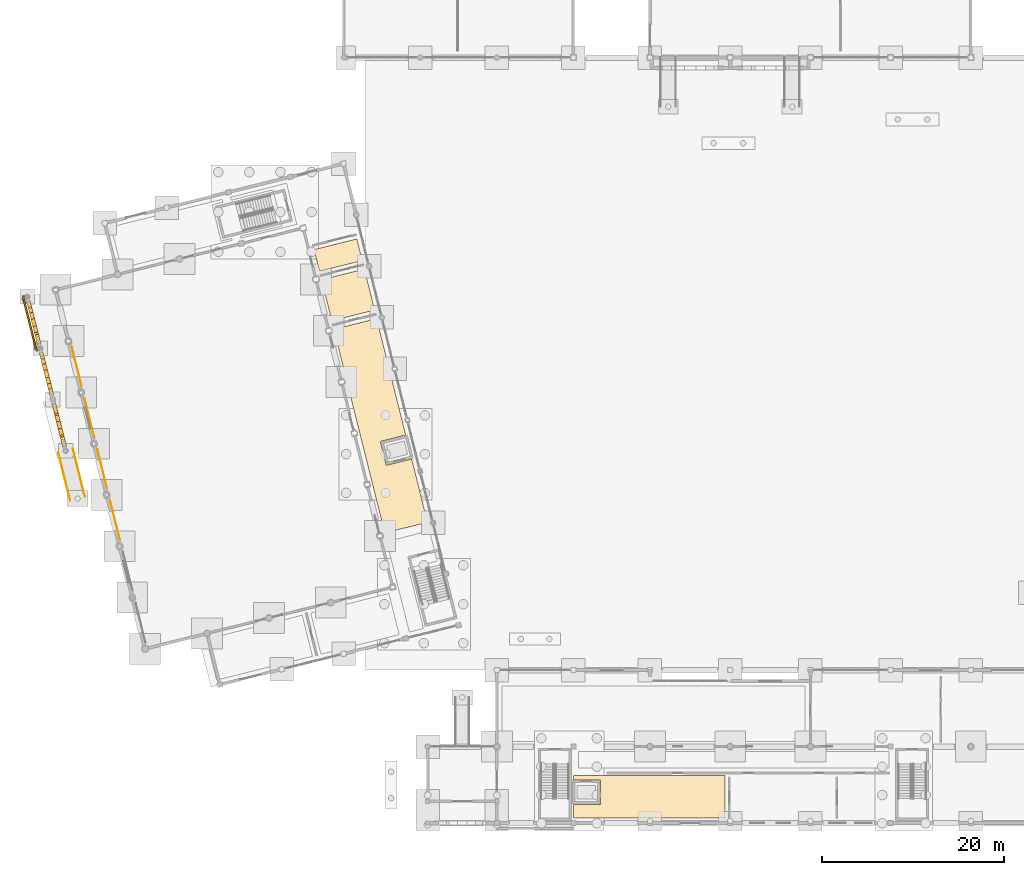
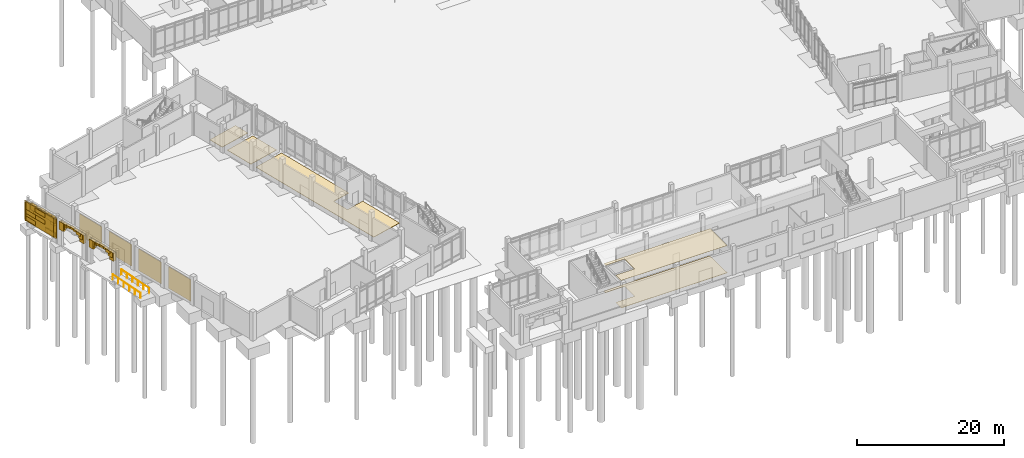
# One storey, part 59 of 72: 44 coverings, 2 railings, 1 shading device.
"""IFC4 building model written with IfcOpenShell, lengths in metres."""

from ifc_helpers import new_model, si_unit, direction, frame, origin, origin_2d, place, context, subcontext, project, spatial, polyline, rectangle, circle, outline, extrude, material, layer, layer_set, type_object, element, save


model = new_model("IFC4")

# Units and contexts
model_context = context("Model", 3, precision=1e-05, world=origin(), true_north=direction((0.0, 1.0)))
body_context = subcontext(model_context, "Body", "Model", "MODEL_VIEW")
ifc_project = project(units=[si_unit("LENGTHUNIT", "METRE"), si_unit("AREAUNIT", "SQUARE_METRE"), si_unit("VOLUMEUNIT", "CUBIC_METRE"), si_unit("PLANEANGLEUNIT", "RADIAN"), si_unit("MASSUNIT", "GRAM", prefix="KILO")], contexts=[model_context])

# Site, building, storey
site_placement = place(None, origin())
site = spatial("IfcSite", under=ifc_project, at=site_placement, CompositionType="ELEMENT")
building_placement = place(site_placement, origin())
building = spatial("IfcBuilding", under=site, at=building_placement, Name="Cinderway Yard Community Centre", CompositionType="ELEMENT")
storey_placement = place(building_placement, origin())
storey = spatial("IfcBuildingStorey", under=building, at=storey_placement, Name="L00", CompositionType="ELEMENT", Elevation=0.0)

# Coverings
ifc_material_1 = material(Name="Brick Masonry", Category="masonry")
ifc_layer_1 = layer(ifc_material_1, 0.18994140625, Name="Brick Masonry")
ifc_layer_set_1 = layer_set([ifc_layer_1], Name="Brick Masonry")
covering_type_1 = type_object("IfcCoveringType", Name="ENV-COV-BRK-SCREEN", PredefinedType="CLADDING", material=ifc_layer_set_1)
covering_1_placement = place(storey_placement, frame((10.875, 47.72607421875, 2.64794921875), z_axis=(0.0, 0.0, 1.0), x_axis=(-0.2419218956, 0.970295726276, 0.0)))
element("IfcCovering", 1, at=covering_1_placement, inside=storey, type_object=covering_type_1, Name="Main Hall Rail Forecourt South Arch Niche Arch Voussoir 4.1", PredefinedType="CLADDING", context=body_context, shape_type="SweptSolid", body=[
    extrude(rectangle(XDim=0.8369140625, YDim=0.419921875, at=origin_2d()), origin(), (0.0, 0.0, 1.0), 1.342041015625),
])
covering_2_placement = place(storey_placement, frame((10.81591796875, 47.9599609375, 3.115478515625), z_axis=(0.0, 0.0, 1.0), x_axis=(-0.2419218956, 0.970295726276, 0.0)))
element("IfcCovering", 2, at=covering_2_placement, inside=storey, type_object=covering_type_1, Name="Main Hall Rail Forecourt South Arch Niche Arch Voussoir 4.2", PredefinedType="CLADDING", context=body_context, shape_type="SweptSolid", body=[
    extrude(rectangle(XDim=0.8369140625, YDim=0.419921875, at=origin_2d()), origin(), (0.0, 0.0, 1.0), 0.875),
])
covering_3_placement = place(storey_placement, frame((10.7060546875, 48.39990234375, 3.495361328125), z_axis=(0.0, 0.0, 1.0), x_axis=(-0.2419218956, 0.970295726276, 0.0)))
element("IfcCovering", 3, at=covering_3_placement, inside=storey, type_object=covering_type_1, Name="Main Hall Rail Forecourt South Arch Niche Arch Voussoir 4.3", PredefinedType="CLADDING", context=body_context, shape_type="SweptSolid", body=[
    extrude(rectangle(XDim=0.8369140625, YDim=0.419921875, at=origin_2d()), origin(), (0.0, 0.0, 1.0), 0.4951171875),
])
for number, where, z_axis, x_axis, name in (
    (4, (10.55908203125, 48.992919921875, 3.744140625), (0.0, 0.0, 1.0), (-0.2419218956, 0.970295726276, 0.0), "Main Hall Rail Forecourt South Arch Niche Arch Voussoir 4.4"),
    (5, (10.389892578125, 49.66796875, 3.830078125), (0.0, 0.0, 1.0), (-0.2419218956, 0.970295726276, 0.0), "Main Hall Rail Forecourt South Arch Niche Arch Voussoir 4.5"),
    (6, (10.221923828125, 50.342041015625, 3.744140625), (0.0, 0.0, 1.0), (-0.2419218956, 0.970295726276, 0.0), "Main Hall Rail Forecourt South Arch Niche Arch Voussoir 4.6"),
):
    element("IfcCovering", number, at=place(storey_placement, frame(where, z_axis=z_axis, x_axis=x_axis)), inside=storey, type_object=covering_type_1, Name=name, PredefinedType="CLADDING", context=body_context, shape_type="SweptSolid", body=[
        extrude(rectangle(XDim=0.8369140625, YDim=0.419921875, at=origin_2d()), origin(), (0.0, 0.0, 1.0), 0.280029296875),
    ])
covering_4_placement = place(storey_placement, frame((10.074951171875, 50.93505859375, 3.495361328125), z_axis=(0.0, 0.0, 1.0), x_axis=(-0.2419218956, 0.970295726276, 0.0)))
element("IfcCovering", 7, at=covering_4_placement, inside=storey, type_object=covering_type_1, Name="Main Hall Rail Forecourt South Arch Niche Arch Voussoir 4.7", PredefinedType="CLADDING", context=body_context, shape_type="SweptSolid", body=[
    extrude(rectangle(XDim=0.8369140625, YDim=0.419921875, at=origin_2d()), origin(), (0.0, 0.0, 1.0), 0.4951171875),
])
covering_5_placement = place(storey_placement, frame((9.965087890625, 51.375, 3.115478515625), z_axis=(0.0, 0.0, 1.0), x_axis=(-0.2419218956, 0.970295726276, 0.0)))
element("IfcCovering", 8, at=covering_5_placement, inside=storey, type_object=covering_type_1, Name="Main Hall Rail Forecourt South Arch Niche Arch Voussoir 4.8", PredefinedType="CLADDING", context=body_context, shape_type="SweptSolid", body=[
    extrude(rectangle(XDim=0.8369140625, YDim=0.419921875, at=origin_2d()), origin(), (0.0, 0.0, 1.0), 0.875),
])
for number, where, z_axis, x_axis, name in (
    (9, (9.906005859375, 51.60888671875, 2.64794921875), (0.0, 0.0, 1.0), (-0.2419218956, 0.970295726276, 0.0), "Main Hall Rail Forecourt South Arch Niche Arch Voussoir 4.9"),
    (10, (9.471923828125, 53.35302734375, 2.64794921875), (0.0, 0.0, 1.0), (-0.241888025742, 0.970304170352, 0.0), "Main Hall Rail Forecourt Central Arch Niche Arch Voussoir 5.1"),
):
    element("IfcCovering", number, at=place(storey_placement, frame(where, z_axis=z_axis, x_axis=x_axis)), inside=storey, type_object=covering_type_1, Name=name, PredefinedType="CLADDING", context=body_context, shape_type="SweptSolid", body=[
        extrude(rectangle(XDim=0.8369140625, YDim=0.419921875, at=origin_2d()), origin(), (0.0, 0.0, 1.0), 1.342041015625),
    ])
covering_6_placement = place(storey_placement, frame((9.4130859375, 53.5869140625, 3.115478515625), z_axis=(0.0, 0.0, 1.0), x_axis=(-0.241888025742, 0.970304170352, 0.0)))
element("IfcCovering", 11, at=covering_6_placement, inside=storey, type_object=covering_type_1, Name="Main Hall Rail Forecourt Central Arch Niche Arch Voussoir 5.2", PredefinedType="CLADDING", context=body_context, shape_type="SweptSolid", body=[
    extrude(rectangle(XDim=0.8369140625, YDim=0.419921875, at=origin_2d()), origin(), (0.0, 0.0, 1.0), 0.875),
])
covering_7_placement = place(storey_placement, frame((9.302978515625, 54.028076171875, 3.495361328125), z_axis=(0.0, 0.0, 1.0), x_axis=(-0.241888025742, 0.970304170352, 0.0)))
element("IfcCovering", 12, at=covering_7_placement, inside=storey, type_object=covering_type_1, Name="Main Hall Rail Forecourt Central Arch Niche Arch Voussoir 5.3", PredefinedType="CLADDING", context=body_context, shape_type="SweptSolid", body=[
    extrude(rectangle(XDim=0.8369140625, YDim=0.419921875, at=origin_2d()), origin(), (0.0, 0.0, 1.0), 0.4951171875),
])
for number, where, z_axis, x_axis, name in (
    (13, (9.156005859375, 54.62109375, 3.744140625), (0.0, 0.0, 1.0), (-0.241888025742, 0.970304170352, 0.0), "Main Hall Rail Forecourt Central Arch Niche Arch Voussoir 5.4"),
    (14, (8.988037109375, 55.294921875, 3.830078125), (0.0, 0.0, 1.0), (-0.241888025742, 0.970304170352, 0.0), "Main Hall Rail Forecourt Central Arch Niche Arch Voussoir 5.5"),
    (15, (8.819091796875, 55.968994140625, 3.744140625), (0.0, 0.0, 1.0), (-0.241888025742, 0.970304170352, 0.0), "Main Hall Rail Forecourt Central Arch Niche Arch Voussoir 5.6"),
):
    element("IfcCovering", number, at=place(storey_placement, frame(where, z_axis=z_axis, x_axis=x_axis)), inside=storey, type_object=covering_type_1, Name=name, PredefinedType="CLADDING", context=body_context, shape_type="SweptSolid", body=[
        extrude(rectangle(XDim=0.8369140625, YDim=0.419921875, at=origin_2d()), origin(), (0.0, 0.0, 1.0), 0.280029296875),
    ])
covering_8_placement = place(storey_placement, frame((8.672119140625, 56.56201171875, 3.495361328125), z_axis=(0.0, 0.0, 1.0), x_axis=(-0.241888025742, 0.970304170352, 0.0)))
element("IfcCovering", 16, at=covering_8_placement, inside=storey, type_object=covering_type_1, Name="Main Hall Rail Forecourt Central Arch Niche Arch Voussoir 5.7", PredefinedType="CLADDING", context=body_context, shape_type="SweptSolid", body=[
    extrude(rectangle(XDim=0.8369140625, YDim=0.419921875, at=origin_2d()), origin(), (0.0, 0.0, 1.0), 0.4951171875),
])
covering_9_placement = place(storey_placement, frame((8.56201171875, 57.0029296875, 3.115478515625), z_axis=(0.0, 0.0, 1.0), x_axis=(-0.241888025742, 0.970304170352, 0.0)))
element("IfcCovering", 17, at=covering_9_placement, inside=storey, type_object=covering_type_1, Name="Main Hall Rail Forecourt Central Arch Niche Arch Voussoir 5.8", PredefinedType="CLADDING", context=body_context, shape_type="SweptSolid", body=[
    extrude(rectangle(XDim=0.8369140625, YDim=0.419921875, at=origin_2d()), origin(), (0.0, 0.0, 1.0), 0.875),
])
for number, where, z_axis, x_axis, name in (
    (18, (8.5029296875, 57.237060546875, 2.64794921875), (0.0, 0.0, 1.0), (-0.241888025742, 0.970304170352, 0.0), "Main Hall Rail Forecourt Central Arch Niche Arch Voussoir 5.9"),
    (19, (8.068115234375, 58.98095703125, 2.64794921875), (0.0, 0.0, 1.0), (-0.24204043778, 0.970266162699, 0.0), "Main Hall Rail Forecourt North Arch Niche Arch Voussoir 6.1"),
):
    element("IfcCovering", number, at=place(storey_placement, frame(where, z_axis=z_axis, x_axis=x_axis)), inside=storey, type_object=covering_type_1, Name=name, PredefinedType="CLADDING", context=body_context, shape_type="SweptSolid", body=[
        extrude(rectangle(XDim=0.8369140625, YDim=0.419921875, at=origin_2d()), origin(), (0.0, 0.0, 1.0), 1.342041015625),
    ])
covering_10_placement = place(storey_placement, frame((8.010009765625, 59.215087890625, 3.115478515625), z_axis=(0.0, 0.0, 1.0), x_axis=(-0.24204043778, 0.970266162699, 0.0)))
element("IfcCovering", 20, at=covering_10_placement, inside=storey, type_object=covering_type_1, Name="Main Hall Rail Forecourt North Arch Niche Arch Voussoir 6.2", PredefinedType="CLADDING", context=body_context, shape_type="SweptSolid", body=[
    extrude(rectangle(XDim=0.8369140625, YDim=0.419921875, at=origin_2d()), origin(), (0.0, 0.0, 1.0), 0.875),
])
covering_11_placement = place(storey_placement, frame((7.89990234375, 59.656005859375, 3.495361328125), z_axis=(0.0, 0.0, 1.0), x_axis=(-0.24204043778, 0.970266162699, 0.0)))
element("IfcCovering", 21, at=covering_11_placement, inside=storey, type_object=covering_type_1, Name="Main Hall Rail Forecourt North Arch Niche Arch Voussoir 6.3", PredefinedType="CLADDING", context=body_context, shape_type="SweptSolid", body=[
    extrude(rectangle(XDim=0.8369140625, YDim=0.419921875, at=origin_2d()), origin(), (0.0, 0.0, 1.0), 0.4951171875),
])
for number, where, z_axis, x_axis, name in (
    (22, (7.751953125, 60.2490234375, 3.744140625), (0.0, 0.0, 1.0), (-0.24204043778, 0.970266162699, 0.0), "Main Hall Rail Forecourt North Arch Niche Arch Voussoir 6.4"),
    (23, (7.583984375, 60.923095703125, 3.830078125), (0.0, 0.0, 1.0), (-0.24204043778, 0.970266162699, 0.0), "Main Hall Rail Forecourt North Arch Niche Arch Voussoir 6.5"),
    (24, (7.416015625, 61.596923828125, 3.744140625), (0.0, 0.0, 1.0), (-0.24204043778, 0.970266162699, 0.0), "Main Hall Rail Forecourt North Arch Niche Arch Voussoir 6.6"),
):
    element("IfcCovering", number, at=place(storey_placement, frame(where, z_axis=z_axis, x_axis=x_axis)), inside=storey, type_object=covering_type_1, Name=name, PredefinedType="CLADDING", context=body_context, shape_type="SweptSolid", body=[
        extrude(rectangle(XDim=0.8369140625, YDim=0.419921875, at=origin_2d()), origin(), (0.0, 0.0, 1.0), 0.280029296875),
    ])
covering_12_placement = place(storey_placement, frame((7.26806640625, 62.18994140625, 3.495361328125), z_axis=(0.0, 0.0, 1.0), x_axis=(-0.24204043778, 0.970266162699, 0.0)))
element("IfcCovering", 25, at=covering_12_placement, inside=storey, type_object=covering_type_1, Name="Main Hall Rail Forecourt North Arch Niche Arch Voussoir 6.7", PredefinedType="CLADDING", context=body_context, shape_type="SweptSolid", body=[
    extrude(rectangle(XDim=0.8369140625, YDim=0.419921875, at=origin_2d()), origin(), (0.0, 0.0, 1.0), 0.4951171875),
])
covering_13_placement = place(storey_placement, frame((7.157958984375, 62.631103515625, 3.115478515625), z_axis=(0.0, 0.0, 1.0), x_axis=(-0.24204043778, 0.970266162699, 0.0)))
element("IfcCovering", 26, at=covering_13_placement, inside=storey, type_object=covering_type_1, Name="Main Hall Rail Forecourt North Arch Niche Arch Voussoir 6.8", PredefinedType="CLADDING", context=body_context, shape_type="SweptSolid", body=[
    extrude(rectangle(XDim=0.8369140625, YDim=0.419921875, at=origin_2d()), origin(), (0.0, 0.0, 1.0), 0.875),
])
covering_14_placement = place(storey_placement, frame((7.10009765625, 62.864990234375, 2.64794921875), z_axis=(0.0, 0.0, 1.0), x_axis=(-0.24204043778, 0.970266162699, 0.0)))
element("IfcCovering", 27, at=covering_14_placement, inside=storey, type_object=covering_type_1, Name="Main Hall Rail Forecourt North Arch Niche Arch Voussoir 6.9", PredefinedType="CLADDING", context=body_context, shape_type="SweptSolid", body=[
    extrude(rectangle(XDim=0.8369140625, YDim=0.419921875, at=origin_2d()), origin(), (0.0, 0.0, 1.0), 1.342041015625),
])
for number, where, z_axis, x_axis, name in (
    (28, (7.84912109375, 58.0, 1.10009765625), (0.0, 0.0, 1.0), (-0.615661475326, 0.788010753607, 0.0), "Deconstructivist folded brick fin 1477"),
    (29, (6.445068359375, 63.6279296875, 1.10009765625), (0.0, 0.0, 1.0), (0.173648177667, 0.984807753012, 0.0), "Deconstructivist folded brick fin 1478"),
):
    element("IfcCovering", number, at=place(storey_placement, frame(where, z_axis=z_axis, x_axis=x_axis)), inside=storey, type_object=covering_type_1, Name=name, PredefinedType="CLADDING", context=body_context, shape_type="SweptSolid", body=[
        extrude(rectangle(XDim=0.4599609375, YDim=0.199951171875, at=origin_2d()), origin(), (0.0, 0.0, 1.0), 3.199951171875),
    ])
for number, where, z_axis, x_axis, name in (
    (30, (7.614990234375, 58.93798828125, 1.24072265625), (0.0, 0.0, 1.0), (-0.2419218956, 0.970295726276, 0.0), "Open-bond perforated brick screen course 01479"),
    (31, (6.678955078125, 62.68994140625, 1.24072265625), (0.0, 0.0, 1.0), (-0.2419218956, 0.970295726276, 0.0), "Open-bond perforated brick screen course 01480"),
    (32, (7.14697265625, 60.81396484375, 2.359375), (0.0, 0.0, 1.0), (-0.2419218956, 0.970295726276, 0.0), "Open-bond perforated brick screen course 01481"),
    (33, (6.678955078125, 62.68994140625, 2.359375), (0.0, 0.0, 1.0), (-0.2419218956, 0.970295726276, 0.0), "Open-bond perforated brick screen course 01482"),
    (34, (7.614990234375, 58.93798828125, 3.4794921875), (0.0, 0.0, 1.0), (-0.2419218956, 0.970295726276, 0.0), "Open-bond perforated brick screen course 01483"),
    (35, (7.14697265625, 60.81396484375, 3.4794921875), (0.0, 0.0, 1.0), (-0.2419218956, 0.970295726276, 0.0), "Open-bond perforated brick screen course 01484"),
):
    element("IfcCovering", number, at=place(storey_placement, frame(where, z_axis=z_axis, x_axis=x_axis)), inside=storey, type_object=covering_type_1, Name=name, PredefinedType="CLADDING", context=body_context, shape_type="SweptSolid", body=[
        extrude(rectangle(XDim=2.012939453125, YDim=0.18994140625, at=origin_2d()), origin(), (0.0, 0.0, 1.0), 0.680908203125),
    ])

# Shading device
shading_device_type = type_object("IfcShadingDeviceType", Name="ENV-SHD-BRICKSCREEN-B", PredefinedType="USERDEFINED", material=ifc_material_1)
shading_device_placement = place(storey_placement, frame((7.14697265625, 60.81396484375, 1.10009765625), z_axis=(0.0, 0.0, 1.0), x_axis=(-0.2419218956, 0.970295726276, 0.0)))
element("IfcShadingDevice", 36, at=shading_device_placement, inside=storey, type_object=shading_device_type, Name="West Rail Loggia Perforated Brick Screen 1126", ObjectType="PERFORATED BRICK SCREEN", PredefinedType="USERDEFINED", context=body_context, shape_type="SweptSolid", body=[
    extrude(rectangle(XDim=5.60009765625, YDim=0.18994140625, at=origin_2d()), origin(), (0.0, 0.0, 1.0), 3.199951171875),
])

# Coverings
ifc_material_2 = material(Name="Mineral Acoustic Tile", Category="gypsum")
ifc_layer_2 = layer(ifc_material_2, 0.02490234375, Name="Mineral Acoustic Tile")
ifc_layer_set_2 = layer_set([ifc_layer_2], Name="Mineral Acoustic Tile")
covering_type_2 = type_object("IfcCoveringType", Name="INT-COV-CEIL-AC", PredefinedType="CEILING", material=ifc_layer_set_2)
covering_15_placement = place(storey_placement, frame((0.0, 0.0, 4.534912109375)))
element("IfcCovering", 37, at=covering_15_placement, inside=storey, type_object=covering_type_2, Name="Commercial Teaching Kitchen Acoustic Ceiling", PredefinedType="CEILING", context=body_context, shape_type="SweptSolid", body=[
    extrude(outline(polyline([(66.800048828125, 8.050048828125), (69.75, 8.050048828125), (69.75, 10.75), (66.800048828125, 10.75), (66.800048828125, 11.219970703125), (83.419921875, 11.219970703125), (83.419921875, 6.580078125), (66.800048828125, 6.580078125), (66.800048828125, 8.050048828125)])), origin(), (0.0, 0.0, 1.0), 0.025146484375),
])
ifc_material_3 = material(Name="Acoustic Slotted Brick Liner", Category="masonry")
ifc_layer_3 = layer(ifc_material_3, 0.044921875, Name="Acoustic Slotted Brick Liner")
ifc_layer_set_3 = layer_set([ifc_layer_3], Name="Acoustic Slotted Brick Liner")
covering_type_3 = type_object("IfcCoveringType", Name="INT-COV-CLAD-BRK", PredefinedType="CLADDING", material=ifc_layer_set_3)
for number, where, z_axis, x_axis, name in (
    (38, (16.514892578125, 39.239013671875, 0.0), (0.0, 0.0, 1.0), (0.970295726276, 0.2419218956, 0.0), "Main Hall Acoustic Brick Liner 03"),
    (39, (15.111083984375, 44.866943359375, 0.0), (0.0, 0.0, 1.0), (0.970295726276, 0.2419218956, 0.0), "Main Hall Acoustic Brick Liner 04"),
    (40, (13.708984375, 50.4951171875, 0.0), (0.0, 0.0, 1.0), (0.970295726276, 0.2419218956, 0.0), "Main Hall Acoustic Brick Liner 05"),
    (41, (12.305908203125, 56.123046875, 0.0), (0.0, 0.0, 1.0), (0.970295726276, 0.2419218956, 0.0), "Main Hall Acoustic Brick Liner 06"),
):
    element("IfcCovering", number, at=place(storey_placement, frame(where, z_axis=z_axis, x_axis=x_axis)), inside=storey, type_object=covering_type_3, Name=name, PredefinedType="CLADDING", context=body_context, shape_type="SweptSolid", body=[
        extrude(rectangle(XDim=0.044921875, YDim=4.39990234375, at=origin_2d()), origin(), (0.0, 0.0, 1.0), 3.60009765625),
    ])
ifc_material_4 = material(Name="Sprung Hardwood Court Floor", Category="wood")
ifc_layer_4 = layer(ifc_material_4, 0.054931640625, Name="Sprung Hardwood Court Floor")
ifc_layer_set_4 = layer_set([ifc_layer_4], Name="Sprung Hardwood Court Floor")
covering_type_4 = type_object("IfcCoveringType", Name="INT-COV-FLR-SPR", PredefinedType="FLOORING", material=ifc_layer_set_4)
covering_16_placement = place(storey_placement, origin())
element("IfcCovering", 42, at=covering_16_placement, inside=storey, type_object=covering_type_4, Name="Courtyard Gallery Corridor Floor Finish", PredefinedType="FLOORING", context=body_context, shape_type="SweptSolid", body=[
    extrude(outline(polyline([(40.52001953125, 60.18896484375), (45.216064453125, 61.360107421875), (48.403076171875, 48.5810546875), (45.617919921875, 47.886962890625), (46.27001953125, 45.26806640625), (49.055908203125, 45.9619140625), (50.7900390625, 39.00390625), (46.093994140625, 37.833984375), (40.52001953125, 60.18896484375)])), origin(), (0.0, 0.0, 1.0), 0.054931640625),
])
covering_17_placement = place(storey_placement, origin())
element("IfcCovering", 43, at=covering_17_placement, inside=storey, type_object=covering_type_4, Name="Public Female Toilet Floor Finish", PredefinedType="FLOORING", context=body_context, shape_type="SweptSolid", body=[
    extrude(outline(polyline([(39.166015625, 65.6220703125), (43.861083984375, 66.79296875), (44.98388671875, 62.2919921875), (40.2880859375, 61.12109375), (39.166015625, 65.6220703125)])), origin(), (0.0, 0.0, 1.0), 0.054931640625),
])
covering_18_placement = place(storey_placement, origin())
element("IfcCovering", 44, at=covering_18_placement, inside=storey, type_object=covering_type_4, Name="Public Male Toilet Floor Finish", PredefinedType="FLOORING", context=body_context, shape_type="SweptSolid", body=[
    extrude(outline(polyline([(38.343017578125, 68.9208984375), (43.0390625, 70.092041015625), (43.62890625, 67.72509765625), (38.93310546875, 66.553955078125), (38.343017578125, 68.9208984375)])), origin(), (0.0, 0.0, 1.0), 0.054931640625),
])
ifc_material_5 = material(Name="Polished Terrazzo Screed", Category="concrete")
ifc_layer_5 = layer(ifc_material_5, 0.0400390625, Name="Polished Terrazzo Screed")
ifc_layer_set_5 = layer_set([ifc_layer_5], Name="Polished Terrazzo Screed")
covering_type_5 = type_object("IfcCoveringType", Name="INT-COV-FLR-TER", PredefinedType="FLOORING", material=ifc_layer_set_5)
covering_19_placement = place(storey_placement, origin())
element("IfcCovering", 45, at=covering_19_placement, inside=storey, type_object=covering_type_5, Name="Commercial Teaching Kitchen Floor Finish", PredefinedType="FLOORING", context=body_context, shape_type="SweptSolid", body=[
    extrude(outline(polyline([(66.800048828125, 8.050048828125), (69.75, 8.050048828125), (69.75, 10.75), (66.800048828125, 10.75), (66.800048828125, 11.219970703125), (83.419921875, 11.219970703125), (83.419921875, 6.580078125), (66.800048828125, 6.580078125), (66.800048828125, 8.050048828125)])), origin(), (0.0, 0.0, 1.0), 0.0400390625),
])

# Railings
ifc_material_6 = material(Name="Painted Galvanised Steel", Category="steel")
railing_type = type_object("IfcRailingType", Name="INT-RAL-HND090", PredefinedType="HANDRAIL", material=ifc_material_6)
for number, where, name in (
    (46, (13.200927734375, 41.81396484375, -0.179931640625), "Rail Forecourt Arrival Accessible Ramp Handrail L"),
    (47, (11.594970703125, 41.4140625, -0.179931640625), "Rail Forecourt Arrival Accessible Ramp Handrail R"),
):
    element("IfcRailing", number, at=place(storey_placement, frame(where)), inside=storey, type_object=railing_type, Name=name, PredefinedType="HANDRAIL", context=body_context, shape_type="SweptSolid", body=[
        extrude(circle(Radius=0.02392578125, at=origin_2d()), frame((0.0, 0.0, 0.8759765625), z_axis=(-0.241287712132, 0.968173147407, 0.066490575375), x_axis=(-0.970320414936, -0.241822853259, 0.0)), (0.0, 0.0, 1.0), 5.412353515625),
        extrude(circle(Radius=0.02099609375, at=origin_2d()), origin(), (0.0, 0.0, 1.0), 0.851806640625),
        extrude(circle(Radius=0.02099609375, at=origin_2d()), frame((-0.26123046875, 1.048095703125, 0.072021484375)), (0.0, 0.0, 1.0), 0.851806640625),
        extrude(circle(Radius=0.02099609375, at=origin_2d()), frame((-0.5224609375, 2.095947265625, 0.14404296875)), (0.0, 0.0, 1.0), 0.851806640625),
        extrude(circle(Radius=0.02099609375, at=origin_2d()), frame((-0.783447265625, 3.14404296875, 0.2158203125)), (0.0, 0.0, 1.0), 0.851806640625),
        extrude(circle(Radius=0.02099609375, at=origin_2d()), frame((-1.044677734375, 4.19189453125, 0.287841796875)), (0.0, 0.0, 1.0), 0.851806640625),
        extrude(circle(Radius=0.02099609375, at=origin_2d()), frame((-1.305908203125, 5.239990234375, 0.35986328125)), (0.0, 0.0, 1.0), 0.851806640625),
    ])

save(model, "model.ifc")
